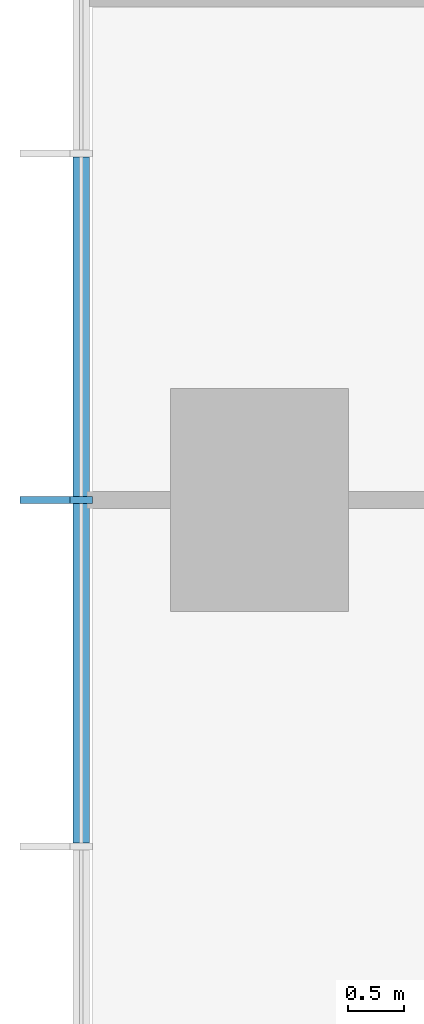
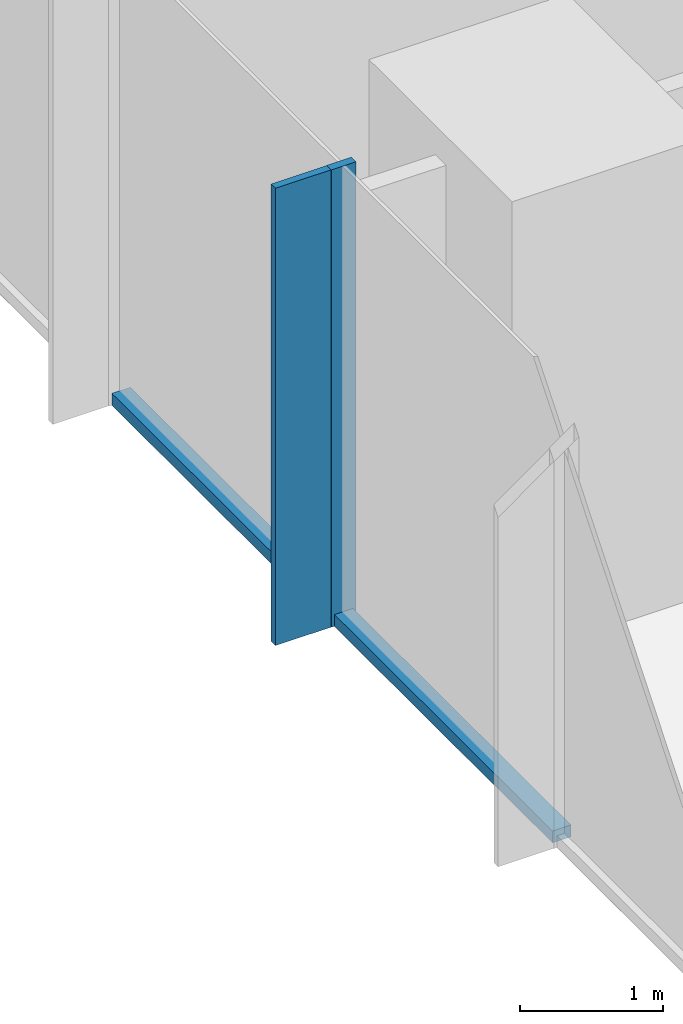
# One storey, part 3 of 12: 4 members, 1 element without a shape of its own.
"""IFC4 building model written with IfcOpenShell, lengths in metres."""

from ifc_helpers import new_model, si_unit, direction, frame, origin, origin_2d, place, context, subcontext, project, spatial, rectangle, extrude, material, layer, layer_set, material_profile, profile_set, type_object, element, aggregate, save


model = new_model("IFC4")

# Units and contexts
model_context = context("Model", 3, precision=1e-05, world=origin(), true_north=direction((0.0, 1.0)))
body_context = subcontext(model_context, "Body", "Model", "MODEL_VIEW")
ifc_project = project(units=[si_unit("LENGTHUNIT", "METRE"), si_unit("AREAUNIT", "SQUARE_METRE"), si_unit("VOLUMEUNIT", "CUBIC_METRE"), si_unit("PLANEANGLEUNIT", "RADIAN"), si_unit("MASSUNIT", "GRAM", prefix="KILO")], contexts=[model_context])

# Site, building, storey
site_placement = place(None, origin())
site = spatial("IfcSite", under=ifc_project, at=site_placement, CompositionType="ELEMENT")
building_placement = place(site_placement, origin())
building = spatial("IfcBuilding", under=site, at=building_placement, Name="Highveld Stack Headquarters", CompositionType="ELEMENT")
storey_placement = place(building_placement, frame((0.0, 0.0, 65.0)))
storey = spatial("IfcBuildingStorey", under=building, at=storey_placement, Name="L15", CompositionType="ELEMENT", Elevation=65.0)

# Curtain wall, members
ifc_material_1 = material(Name="Aluminium bronze anodised", Category="aluminium")
ifc_layer = layer(ifc_material_1, 0.199951171875)
ifc_layer_set = layer_set([ifc_layer], Name="Aluminium bronze anodised")
curtain_wall_type = type_object("IfcCurtainWallType", Name="CW1 TOWER UNITISED CURTAIN WALL", PredefinedType="NOTDEFINED", material=ifc_layer_set)
curtain_wall_placement = place(storey_placement, origin())
curtain_wall = element("IfcCurtainWall", 1, at=curtain_wall_placement, inside=storey, type_object=curtain_wall_type, Name="Curtain wall CW1 L15 W", PredefinedType="NOTDEFINED")
ifc_material_2 = material(Name="Aluminium bronze anodised", Category="aluminium")
ifc_material_profile_1 = material_profile(ifc_material_2, rectangle(XDim=0.449951171875, YDim=0.06005859375, at=origin_2d()), Name="FIN 450x60")
ifc_profile_set_1 = profile_set([ifc_material_profile_1], Name="Aluminium bronze anodised")
member_type_1 = type_object("IfcMemberType", Name="CW1 BRONZE FIN 450x60", PredefinedType="USERDEFINED", material=ifc_profile_set_1)
member_1_placement = place(storey_placement, frame((-19.925048828125, 6.0, 0.0), z_axis=(0.0, 0.0, 1.0), x_axis=(1.0, 0.0, 0.0)))
member_1 = element("IfcMember", 2, at=member_1_placement, type_object=member_type_1, Name="CW1 fin L15 7", ObjectType="FIN", PredefinedType="USERDEFINED", context=body_context, shape_type="SweptSolid", body=[
    extrude(rectangle(XDim=0.449951171875, YDim=0.06005859375, at=origin_2d()), origin(), (0.0, 0.0, 1.0), 3.89990234375),
])
ifc_material_3 = material(Name="Aluminium bronze anodised", Category="aluminium")
ifc_material_profile_2 = material_profile(ifc_material_3, rectangle(XDim=0.199951171875, YDim=0.06494140625, at=origin_2d()), Name="CW1 MULLION 65x200")
ifc_profile_set_2 = profile_set([ifc_material_profile_2], Name="Aluminium bronze anodised")
member_type_2 = type_object("IfcMemberType", Name="CW1 MULLION 65x200", PredefinedType="MULLION", material=ifc_profile_set_2)
member_2_placement = place(storey_placement, frame((-19.60009765625, 6.0, 0.0), z_axis=(0.0, 0.0, 1.0), x_axis=(1.0, 0.0, 0.0)))
member_2 = element("IfcMember", 3, at=member_2_placement, type_object=member_type_2, Name="CW1 mullion L15 7", PredefinedType="MULLION", context=body_context, shape_type="SweptSolid", body=[
    extrude(rectangle(XDim=0.199951171875, YDim=0.06494140625, at=origin_2d()), origin(), (0.0, 0.0, 1.0), 3.89990234375),
])
ifc_material_4 = material(Name="Aluminium bronze anodised", Category="aluminium")
ifc_material_profile_3 = material_profile(ifc_material_4, rectangle(XDim=0.14990234375, YDim=0.10009765625, at=origin_2d()), Name="CW1 TRANSOM 150x100")
ifc_profile_set_3 = profile_set([ifc_material_profile_3], Name="Aluminium bronze anodised")
member_type_3 = type_object("IfcMemberType", Name="CW1 STACK TRANSOM 150x100", PredefinedType="USERDEFINED", material=ifc_profile_set_3)
member_3_placement = place(storey_placement, frame((-19.60009765625, 9.077880859375, 0.050048828125), z_axis=(0.0, -1.0, 0.0), x_axis=(1.0, 0.0, 0.0)))
member_3 = element("IfcMember", 4, at=member_3_placement, type_object=member_type_3, Name="CW1 transom L15 6.1", ObjectType="TRANSOM", PredefinedType="USERDEFINED", context=body_context, shape_type="SweptSolid", body=[
    extrude(rectangle(XDim=0.14990234375, YDim=0.10009765625, at=origin_2d()), origin(), (0.0, 0.0, 1.0), 3.04541015625),
])
member_4_placement = place(storey_placement, frame((-19.60009765625, 5.967529296875, 0.050048828125), z_axis=(0.0, -1.0, 0.0), x_axis=(1.0, 0.0, 0.0)))
member_4 = element("IfcMember", 5, at=member_4_placement, type_object=member_type_3, Name="CW1 transom L15 7.1", ObjectType="TRANSOM", PredefinedType="USERDEFINED", context=body_context, shape_type="SweptSolid", body=[
    extrude(rectangle(XDim=0.14990234375, YDim=0.10009765625, at=origin_2d()), origin(), (0.0, 0.0, 1.0), 3.04541015625),
])
aggregate(curtain_wall, [member_2, member_1, member_3, member_4])

save(model, "model.ifc")
